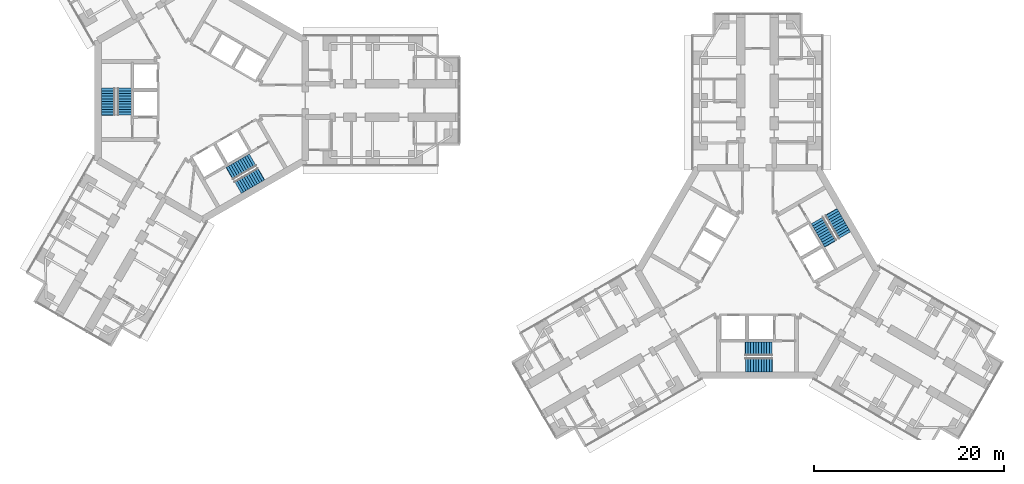
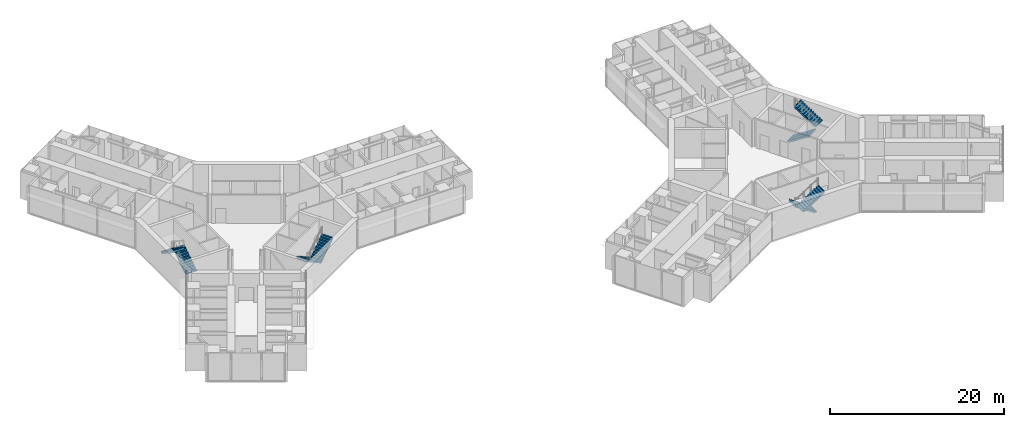
# One storey, part 23 of 24: 8 stair flights, 4 elements without a shape of their own.
"""IFC4 building model written with IfcOpenShell, lengths in metres."""

from ifc_helpers import new_model, si_unit, direction, frame, origin, place, context, subcontext, project, spatial, polyline, outline, extrude, material, type_object, element, aggregate, save


model = new_model("IFC4")

# Units and contexts
model_context = context("Model", 3, precision=1e-05, world=origin(), true_north=direction((0.0, 1.0)))
body_context = subcontext(model_context, "Body", "Model", "MODEL_VIEW")
ifc_project = project(units=[si_unit("LENGTHUNIT", "METRE"), si_unit("AREAUNIT", "SQUARE_METRE"), si_unit("VOLUMEUNIT", "CUBIC_METRE"), si_unit("PLANEANGLEUNIT", "RADIAN"), si_unit("MASSUNIT", "GRAM", prefix="KILO")], contexts=[model_context])

# Site, building, storey
site_placement = place(None, origin())
site = spatial("IfcSite", under=ifc_project, at=site_placement, CompositionType="ELEMENT")
building_placement = place(site_placement, origin())
building = spatial("IfcBuilding", under=site, at=building_placement, Name="Upepo Twin Towers", CompositionType="ELEMENT")
storey_placement = place(building_placement, frame((0.0, 0.0, 52.5)))
storey = spatial("IfcBuildingStorey", under=building, at=storey_placement, Name="L12", CompositionType="ELEMENT", Elevation=52.5)

# Stair, stair flights
ifc_material_1 = material(Name="Concrete C40/50", Category="concrete")
stair_type = type_object("IfcStairType", Name="Core stair, two flights", PredefinedType="HALF_TURN_STAIR", material=ifc_material_1)
stair_1_placement = place(storey_placement, origin())
stair_1 = element("IfcStair", 1, at=stair_1_placement, inside=storey, type_object=stair_type, Name="T1 stair S1 L12", PredefinedType="HALF_TURN_STAIR")
ifc_material_2 = material(Name="Concrete C40/50", Category="concrete")
stair_flight_type = type_object("IfcStairFlightType", Name="Stair flight 1450 RC", PredefinedType="STRAIGHT", material=ifc_material_2)
stair_flight_1_placement = place(storey_placement, frame((-8.125, -1.52001953125, 0.0), z_axis=(0.0, 0.0, 1.0), x_axis=(0.0, 1.0, 0.0)))
stair_flight_1 = element("IfcStairFlight", 2, at=stair_flight_1_placement, type_object=stair_flight_type, Name="Stair S1 flight 1", NumberOfRisers=11, NumberOfTreads=10, PredefinedType="STRAIGHT", RiserHeight=0.181818182, TreadLength=0.28, context=body_context, shape_type="SweptSolid", body=[
    extrude(outline(polyline([(0.0, 0.0), (0.0, 0.181884765625), (0.280029296875, 0.181884765625), (0.280029296875, 0.363525390625), (0.56005859375, 0.363525390625), (0.56005859375, 0.54541015625), (0.840087890625, 0.54541015625), (0.840087890625, 0.727294921875), (1.1201171875, 0.727294921875), (1.1201171875, 0.9091796875), (1.39990234375, 0.9091796875), (1.39990234375, 1.0908203125), (1.679931640625, 1.0908203125), (1.679931640625, 1.272705078125), (1.9599609375, 1.272705078125), (1.9599609375, 1.45458984375), (2.239990234375, 1.45458984375), (2.239990234375, 1.636474609375), (2.52001953125, 1.636474609375), (2.52001953125, 1.818115234375), (2.800048828125, 1.818115234375), (2.800048828125, 2.0), (2.85009765625, 2.0), (2.85009765625, 1.639404296875), (0.3251953125, 0.0), (0.0, 0.0)])), frame((0.0, 0.72509765625, 0.0), z_axis=(0.0, -1.0, 0.0), x_axis=(1.0, 0.0, 0.0)), (0.0, 0.0, 1.0), 1.449951171875),
])
stair_flight_2_placement = place(storey_placement, frame((-9.833251953125, 1.280029296875, 2.0), z_axis=(0.0, 0.0, 1.0), x_axis=(0.0, -1.0, 0.0)))
stair_flight_2 = element("IfcStairFlight", 3, at=stair_flight_2_placement, type_object=stair_flight_type, Name="Stair S1 flight 2", NumberOfRisers=11, NumberOfTreads=10, PredefinedType="STRAIGHT", RiserHeight=0.181818182, TreadLength=0.28, context=body_context, shape_type="SweptSolid", body=[
    extrude(outline(polyline([(0.0, 0.0), (0.0, 0.181884765625), (0.280029296875, 0.181884765625), (0.280029296875, 0.363525390625), (0.56005859375, 0.363525390625), (0.56005859375, 0.54541015625), (0.840087890625, 0.54541015625), (0.840087890625, 0.727294921875), (1.1201171875, 0.727294921875), (1.1201171875, 0.9091796875), (1.39990234375, 0.9091796875), (1.39990234375, 1.0908203125), (1.679931640625, 1.0908203125), (1.679931640625, 1.272705078125), (1.9599609375, 1.272705078125), (1.9599609375, 1.45458984375), (2.239990234375, 1.45458984375), (2.239990234375, 1.636474609375), (2.52001953125, 1.636474609375), (2.52001953125, 1.818115234375), (2.800048828125, 1.818115234375), (2.800048828125, 2.0), (2.85009765625, 2.0), (2.85009765625, 1.639404296875), (0.3251953125, 0.0), (0.0, 0.0)])), frame((0.0, 0.72509765625, 0.0), z_axis=(0.0, -1.0, 0.0), x_axis=(1.0, 0.0, 0.0)), (0.0, 0.0, 1.0), 1.449951171875),
])
aggregate(stair_1, [stair_flight_1, stair_flight_2])

stair_2_placement = place(storey_placement, origin())
stair_2 = element("IfcStair", 4, at=stair_2_placement, inside=storey, type_object=stair_type, Name="T1 stair S2 L12", PredefinedType="HALF_TURN_STAIR")
stair_flight_3_placement = place(storey_placement, frame((5.37890625, -6.2763671875, 0.0), z_axis=(0.0, 0.0, 1.0), x_axis=(-0.866025403784, -0.5, 0.0)))
stair_flight_3 = element("IfcStairFlight", 5, at=stair_flight_3_placement, type_object=stair_flight_type, Name="Stair S2 flight 1", NumberOfRisers=11, NumberOfTreads=10, PredefinedType="STRAIGHT", RiserHeight=0.181818182, TreadLength=0.28, context=body_context, shape_type="SweptSolid", body=[
    extrude(outline(polyline([(0.0, 0.0), (0.0, 0.181884765625), (0.280029296875, 0.181884765625), (0.280029296875, 0.363525390625), (0.56005859375, 0.363525390625), (0.56005859375, 0.54541015625), (0.840087890625, 0.54541015625), (0.840087890625, 0.727294921875), (1.1201171875, 0.727294921875), (1.1201171875, 0.9091796875), (1.39990234375, 0.9091796875), (1.39990234375, 1.0908203125), (1.679931640625, 1.0908203125), (1.679931640625, 1.272705078125), (1.9599609375, 1.272705078125), (1.9599609375, 1.45458984375), (2.239990234375, 1.45458984375), (2.239990234375, 1.636474609375), (2.52001953125, 1.636474609375), (2.52001953125, 1.818115234375), (2.800048828125, 1.818115234375), (2.800048828125, 2.0), (2.85009765625, 2.0), (2.85009765625, 1.639404296875), (0.3251953125, 0.0), (0.0, 0.0)])), frame((0.0, 0.72509765625, 0.0), z_axis=(0.0, -1.0, 0.0), x_axis=(1.0, 0.0, 0.0)), (0.0, 0.0, 1.0), 1.449951171875),
])
stair_flight_4_placement = place(storey_placement, frame((3.80810546875, -9.156005859375, 2.0), z_axis=(0.0, 0.0, 1.0), x_axis=(0.866025403784, 0.5, 0.0)))
stair_flight_4 = element("IfcStairFlight", 6, at=stair_flight_4_placement, type_object=stair_flight_type, Name="Stair S2 flight 2", NumberOfRisers=11, NumberOfTreads=10, PredefinedType="STRAIGHT", RiserHeight=0.181818182, TreadLength=0.28, context=body_context, shape_type="SweptSolid", body=[
    extrude(outline(polyline([(0.0, 0.0), (0.0, 0.181884765625), (0.280029296875, 0.181884765625), (0.280029296875, 0.363525390625), (0.56005859375, 0.363525390625), (0.56005859375, 0.54541015625), (0.840087890625, 0.54541015625), (0.840087890625, 0.727294921875), (1.1201171875, 0.727294921875), (1.1201171875, 0.9091796875), (1.39990234375, 0.9091796875), (1.39990234375, 1.0908203125), (1.679931640625, 1.0908203125), (1.679931640625, 1.272705078125), (1.9599609375, 1.272705078125), (1.9599609375, 1.45458984375), (2.239990234375, 1.45458984375), (2.239990234375, 1.636474609375), (2.52001953125, 1.636474609375), (2.52001953125, 1.818115234375), (2.800048828125, 1.818115234375), (2.800048828125, 2.0), (2.85009765625, 2.0), (2.85009765625, 1.639404296875), (0.3251953125, 0.0), (0.0, 0.0)])), frame((0.0, 0.72509765625, 0.0), z_axis=(0.0, -1.0, 0.0), x_axis=(1.0, 0.0, 0.0)), (0.0, 0.0, 1.0), 1.449951171875),
])
aggregate(stair_2, [stair_flight_3, stair_flight_4])

stair_3_placement = place(storey_placement, origin())
stair_3 = element("IfcStair", 7, at=stair_3_placement, inside=storey, type_object=stair_type, Name="T2 stair S1 L12", PredefinedType="HALF_TURN_STAIR")
stair_flight_5_placement = place(storey_placement, frame((60.02001953125, -26.125, 0.0), z_axis=(0.0, 0.0, 1.0), x_axis=(-1.0, 0.0, 0.0)))
stair_flight_5 = element("IfcStairFlight", 8, at=stair_flight_5_placement, type_object=stair_flight_type, Name="Stair S1 flight 1", NumberOfRisers=11, NumberOfTreads=10, PredefinedType="STRAIGHT", RiserHeight=0.181818182, TreadLength=0.28, context=body_context, shape_type="SweptSolid", body=[
    extrude(outline(polyline([(0.0, 0.0), (0.0, 0.181884765625), (0.280029296875, 0.181884765625), (0.280029296875, 0.363525390625), (0.56005859375, 0.363525390625), (0.56005859375, 0.54541015625), (0.840087890625, 0.54541015625), (0.840087890625, 0.727294921875), (1.1201171875, 0.727294921875), (1.1201171875, 0.9091796875), (1.39990234375, 0.9091796875), (1.39990234375, 1.0908203125), (1.679931640625, 1.0908203125), (1.679931640625, 1.272705078125), (1.9599609375, 1.272705078125), (1.9599609375, 1.45458984375), (2.239990234375, 1.45458984375), (2.239990234375, 1.636474609375), (2.52001953125, 1.636474609375), (2.52001953125, 1.818115234375), (2.800048828125, 1.818115234375), (2.800048828125, 2.0), (2.85009765625, 2.0), (2.85009765625, 1.639404296875), (0.3251953125, 0.0), (0.0, 0.0)])), frame((0.0, 0.72509765625, 0.0), z_axis=(0.0, -1.0, 0.0), x_axis=(1.0, 0.0, 0.0)), (0.0, 0.0, 1.0), 1.449951171875),
])
stair_flight_6_placement = place(storey_placement, frame((57.219970703125, -27.833251953125, 2.0), z_axis=(0.0, 0.0, 1.0), x_axis=(1.0, 0.0, 0.0)))
stair_flight_6 = element("IfcStairFlight", 9, at=stair_flight_6_placement, type_object=stair_flight_type, Name="Stair S1 flight 2", NumberOfRisers=11, NumberOfTreads=10, PredefinedType="STRAIGHT", RiserHeight=0.181818182, TreadLength=0.28, context=body_context, shape_type="SweptSolid", body=[
    extrude(outline(polyline([(0.0, 0.0), (0.0, 0.181884765625), (0.280029296875, 0.181884765625), (0.280029296875, 0.363525390625), (0.56005859375, 0.363525390625), (0.56005859375, 0.54541015625), (0.840087890625, 0.54541015625), (0.840087890625, 0.727294921875), (1.1201171875, 0.727294921875), (1.1201171875, 0.9091796875), (1.39990234375, 0.9091796875), (1.39990234375, 1.0908203125), (1.679931640625, 1.0908203125), (1.679931640625, 1.272705078125), (1.9599609375, 1.272705078125), (1.9599609375, 1.45458984375), (2.239990234375, 1.45458984375), (2.239990234375, 1.636474609375), (2.52001953125, 1.636474609375), (2.52001953125, 1.818115234375), (2.800048828125, 1.818115234375), (2.800048828125, 2.0), (2.85009765625, 2.0), (2.85009765625, 1.639404296875), (0.3251953125, 0.0), (0.0, 0.0)])), frame((0.0, 0.72509765625, 0.0), z_axis=(0.0, -1.0, 0.0), x_axis=(1.0, 0.0, 0.0)), (0.0, 0.0, 1.0), 1.449951171875),
])
aggregate(stair_3, [stair_flight_5, stair_flight_6])

stair_4_placement = place(storey_placement, origin())
stair_4 = element("IfcStair", 10, at=stair_4_placement, inside=storey, type_object=stair_type, Name="T2 stair S2 L12", PredefinedType="HALF_TURN_STAIR")
stair_flight_7_placement = place(storey_placement, frame((64.7763671875, -12.62109375, 0.0), z_axis=(0.0, 0.0, 1.0), x_axis=(0.5, -0.866025403784, 0.0)))
stair_flight_7 = element("IfcStairFlight", 11, at=stair_flight_7_placement, type_object=stair_flight_type, Name="Stair S2 flight 1", NumberOfRisers=11, NumberOfTreads=10, PredefinedType="STRAIGHT", RiserHeight=0.181818182, TreadLength=0.28, context=body_context, shape_type="SweptSolid", body=[
    extrude(outline(polyline([(0.0, 0.0), (0.0, 0.181884765625), (0.280029296875, 0.181884765625), (0.280029296875, 0.363525390625), (0.56005859375, 0.363525390625), (0.56005859375, 0.54541015625), (0.840087890625, 0.54541015625), (0.840087890625, 0.727294921875), (1.1201171875, 0.727294921875), (1.1201171875, 0.9091796875), (1.39990234375, 0.9091796875), (1.39990234375, 1.0908203125), (1.679931640625, 1.0908203125), (1.679931640625, 1.272705078125), (1.9599609375, 1.272705078125), (1.9599609375, 1.45458984375), (2.239990234375, 1.45458984375), (2.239990234375, 1.636474609375), (2.52001953125, 1.636474609375), (2.52001953125, 1.818115234375), (2.800048828125, 1.818115234375), (2.800048828125, 2.0), (2.85009765625, 2.0), (2.85009765625, 1.639404296875), (0.3251953125, 0.0), (0.0, 0.0)])), frame((0.0, 0.72509765625, 0.0), z_axis=(0.0, -1.0, 0.0), x_axis=(1.0, 0.0, 0.0)), (0.0, 0.0, 1.0), 1.449951171875),
])
stair_flight_8_placement = place(storey_placement, frame((67.656005859375, -14.19189453125, 2.0), z_axis=(0.0, 0.0, 1.0), x_axis=(-0.5, 0.866025403784, 0.0)))
stair_flight_8 = element("IfcStairFlight", 12, at=stair_flight_8_placement, type_object=stair_flight_type, Name="Stair S2 flight 2", NumberOfRisers=11, NumberOfTreads=10, PredefinedType="STRAIGHT", RiserHeight=0.181818182, TreadLength=0.28, context=body_context, shape_type="SweptSolid", body=[
    extrude(outline(polyline([(0.0, 0.0), (0.0, 0.181884765625), (0.280029296875, 0.181884765625), (0.280029296875, 0.363525390625), (0.56005859375, 0.363525390625), (0.56005859375, 0.54541015625), (0.840087890625, 0.54541015625), (0.840087890625, 0.727294921875), (1.1201171875, 0.727294921875), (1.1201171875, 0.9091796875), (1.39990234375, 0.9091796875), (1.39990234375, 1.0908203125), (1.679931640625, 1.0908203125), (1.679931640625, 1.272705078125), (1.9599609375, 1.272705078125), (1.9599609375, 1.45458984375), (2.239990234375, 1.45458984375), (2.239990234375, 1.636474609375), (2.52001953125, 1.636474609375), (2.52001953125, 1.818115234375), (2.800048828125, 1.818115234375), (2.800048828125, 2.0), (2.85009765625, 2.0), (2.85009765625, 1.639404296875), (0.3251953125, 0.0), (0.0, 0.0)])), frame((0.0, 0.72509765625, 0.0), z_axis=(0.0, -1.0, 0.0), x_axis=(1.0, 0.0, 0.0)), (0.0, 0.0, 1.0), 1.449951171875),
])
aggregate(stair_4, [stair_flight_7, stair_flight_8])

save(model, "model.ifc")
